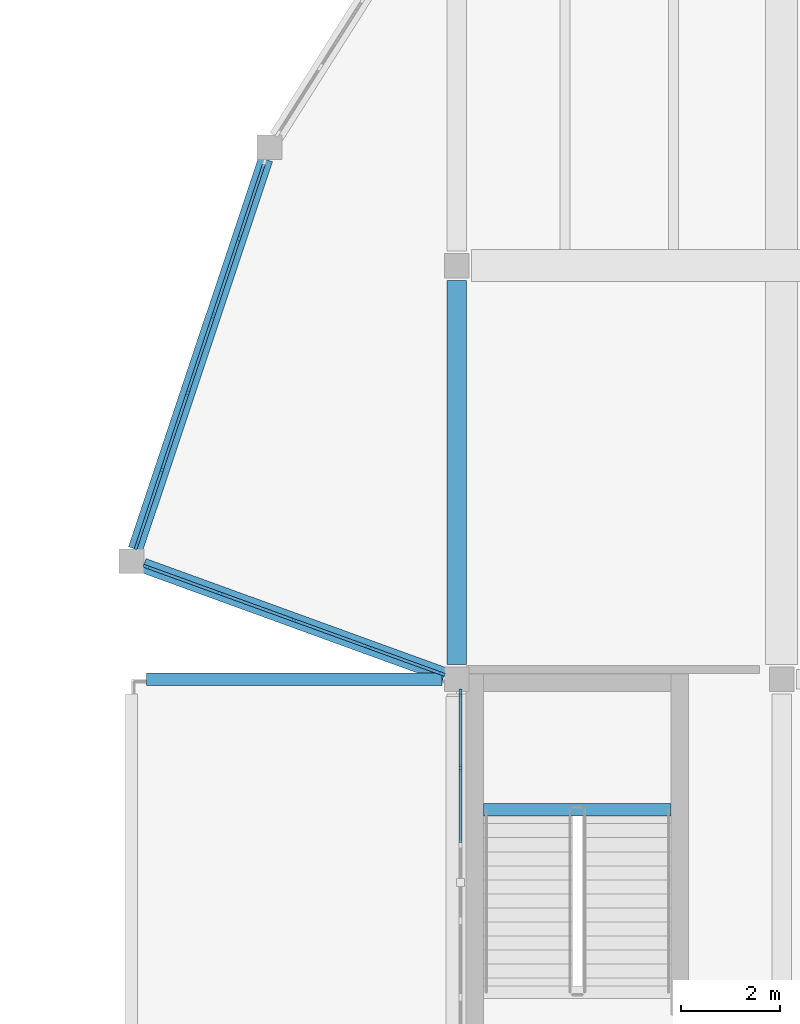
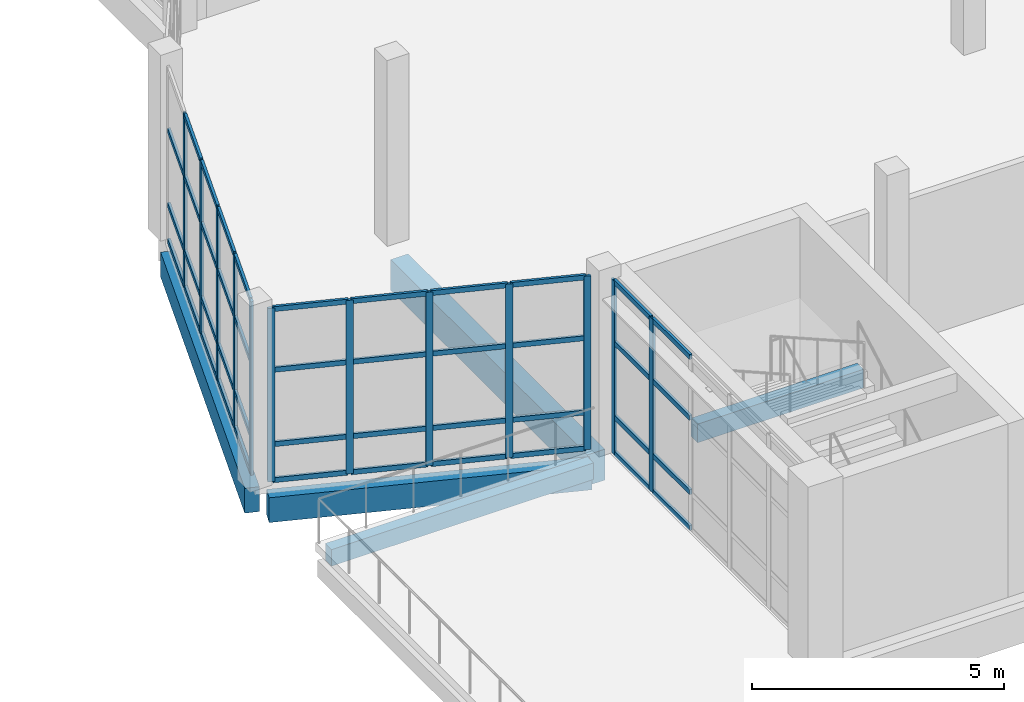
# One storey, part 25 of 83: 55 members, 5 beams, 3 elements without a shape of their own.
"""IFC4 building model written with IfcOpenShell, lengths in metres."""

from ifc_helpers import new_model, si_unit, direction, frame, origin, origin_2d, place, context, subcontext, project, spatial, rectangle, extrude, material, material_profile, profile_set, type_object, element, aggregate, save


model = new_model("IFC4")

# Units and contexts
model_context = context("Model", 3, precision=1e-05, world=origin(), true_north=direction((0.0, 1.0)))
body_context = subcontext(model_context, "Body", "Model", "MODEL_VIEW")
ifc_project = project(units=[si_unit("LENGTHUNIT", "METRE"), si_unit("AREAUNIT", "SQUARE_METRE"), si_unit("VOLUMEUNIT", "CUBIC_METRE"), si_unit("PLANEANGLEUNIT", "RADIAN"), si_unit("MASSUNIT", "GRAM", prefix="KILO")], contexts=[model_context])

# Site, building, storey
site_placement = place(None, origin())
site = spatial("IfcSite", under=ifc_project, at=site_placement, CompositionType="ELEMENT")
building_placement = place(site_placement, origin())
building = spatial("IfcBuilding", under=site, at=building_placement, Name="Qaldarim Faculty of Natural and Applied Sciences", CompositionType="ELEMENT")
storey_placement = place(building_placement, frame((0.0, 0.0, 5.39990234375)))
storey = spatial("IfcBuildingStorey", under=building, at=storey_placement, Name="L01", CompositionType="ELEMENT", Elevation=5.39990234375)

# Beams
ifc_material_1 = material(Name="Concrete C40/50", Category="concrete")
ifc_material_profile_1 = material_profile(ifc_material_1, rectangle(XDim=0.25, YDim=0.39990234375, at=origin_2d()), Name="RC-LN250x400")
ifc_profile_set_1 = profile_set([ifc_material_profile_1], Name="Concrete C40/50")
beam_type_1 = type_object("IfcBeamType", Name="ArcadeLintel-RC250x400", PredefinedType="LINTEL", material=ifc_profile_set_1)
beam_1_placement = place(storey_placement, frame((145.5, 67.199951171875, -0.39990234375), z_axis=(1.0, 0.0, 0.0), x_axis=(0.0, 1.0, 0.0)))
element("IfcBeam", 1, at=beam_1_placement, inside=storey, type_object=beam_type_1, Name="Beam RC-LN250x400 L00 X23-X24/Y09", PredefinedType="LINTEL", context=body_context, shape_type="SweptSolid", body=[
    extrude(rectangle(XDim=0.25, YDim=0.39990234375, at=origin_2d()), origin(), (0.0, 0.0, 1.0), 6.0),
])
ifc_material_2 = material(Name="Concrete C50/60", Category="concrete")
ifc_material_profile_2 = material_profile(ifc_material_2, rectangle(XDim=0.39990234375, YDim=0.75, at=origin_2d()), Name="RC-B400x750")
ifc_profile_set_2 = profile_set([ifc_material_profile_2], Name="Concrete C50/60")
beam_type_2 = type_object("IfcBeamType", Name="LabGirder-RC400x750", PredefinedType="BEAM", material=ifc_profile_set_2)
beam_2_placement = place(storey_placement, frame((151.800048828125, 67.5, -0.6748046875), z_axis=(0.0, 1.0, 0.0), x_axis=(-1.0, 0.0, 0.0)))
element("IfcBeam", 2, at=beam_2_placement, inside=storey, type_object=beam_type_2, Name="Beam RC-B400x750 L00 X24/Y09-Y10", PredefinedType="BEAM", context=body_context, shape_type="SweptSolid", body=[
    extrude(rectangle(XDim=0.39990234375, YDim=0.75, at=origin_2d()), origin(), (0.0, 0.0, 1.0), 7.800048828125),
])
ifc_material_profile_3 = material_profile(ifc_material_1, rectangle(XDim=0.25, YDim=0.449951171875, at=origin_2d()), Name="RC-LN250x450")
ifc_profile_set_3 = profile_set([ifc_material_profile_3], Name="Concrete C40/50")
beam_type_3 = type_object("IfcBeamType", Name="LandingSupportBeam-RC250x450", PredefinedType="BEAM", material=ifc_profile_set_3)
beam_3_placement = place(storey_placement, frame((152.35009765625, 64.554931640625, 1.815185546875), z_axis=(1.0, 0.0, 0.0), x_axis=(0.0, 1.0, 0.0)))
element("IfcBeam", 3, at=beam_3_placement, inside=storey, type_object=beam_type_3, Name="Stair landing support beam ST-C1 L01", PredefinedType="BEAM", context=body_context, shape_type="SweptSolid", body=[
    extrude(rectangle(XDim=0.25, YDim=0.449951171875, at=origin_2d()), origin(), (0.0, 0.0, 1.0), 3.7998046875),
])

# Curtain wall, members
ifc_material_3 = material(Name="Anodised aluminium AW-6063", Category="aluminium")
curtain_wall_type = type_object("IfcCurtainWallType", Name="CurtainWallSystem-M1600", PredefinedType="USERDEFINED", material=ifc_material_3)
curtain_wall_1_placement = place(storey_placement, origin())
curtain_wall_1 = element("IfcCurtainWall", 4, at=curtain_wall_1_placement, inside=storey, type_object=curtain_wall_type, Name="Curtain wall CW-L01-W-X24Y08", ObjectType="UNITISED FACADE", PredefinedType="USERDEFINED")
ifc_material_profile_4 = material_profile(ifc_material_3, rectangle(XDim=0.06005859375, YDim=0.14990234375, at=origin_2d()), Name="ALU-M60x150")
ifc_profile_set_4 = profile_set([ifc_material_profile_4], Name="Anodised aluminium AW-6063")
member_type_1 = type_object("IfcMemberType", Name="Mullion-ALU60x150", PredefinedType="MULLION", material=ifc_profile_set_4)
member_1_placement = place(storey_placement, frame((151.8798828125, 66.925048828125, 0.0), z_axis=(0.0, 0.0, 1.0), x_axis=(1.0, 0.0, 0.0)))
member_1 = element("IfcMember", 5, at=member_1_placement, type_object=member_type_1, Name="Mullion 1 of CW-L01-W-X24Y08", PredefinedType="MULLION", context=body_context, shape_type="SweptSolid", body=[
    extrude(rectangle(XDim=0.06005859375, YDim=0.14990234375, at=origin_2d()), origin(), (0.0, 0.0, 1.0), 4.2001953125),
])
member_2_placement = place(storey_placement, frame((151.8798828125, 65.403076171875, 0.0), z_axis=(0.0, 0.0, 1.0), x_axis=(1.0, 0.0, 0.0)))
member_2 = element("IfcMember", 6, at=member_2_placement, type_object=member_type_1, Name="Mullion 2 of CW-L01-W-X24Y08", PredefinedType="MULLION", context=body_context, shape_type="SweptSolid", body=[
    extrude(rectangle(XDim=0.06005859375, YDim=0.14990234375, at=origin_2d()), origin(), (0.0, 0.0, 1.0), 4.2001953125),
])

curtain_wall_2_placement = place(storey_placement, origin())
curtain_wall_2 = element("IfcCurtainWall", 7, at=curtain_wall_2_placement, inside=storey, type_object=curtain_wall_type, Name="Curtain wall CW-PROW-L01-2", ObjectType="UNITISED FACADE", PredefinedType="USERDEFINED")
member_3_placement = place(storey_placement, frame((147.383056640625, 76.14892578125, 0.0), z_axis=(0.0, 0.0, 1.0), x_axis=(0.948683015593, -0.316228613389, 0.0)))
member_3 = element("IfcMember", 8, at=member_3_placement, type_object=member_type_1, Name="Mullion 2 of CW-PROW-L01-2", PredefinedType="MULLION", context=body_context, shape_type="SweptSolid", body=[
    extrude(rectangle(XDim=0.06005859375, YDim=0.14990234375, at=origin_2d()), origin(), (0.0, 0.0, 1.0), 4.2001953125),
])
member_4_placement = place(storey_placement, frame((146.861083984375, 74.5830078125, 0.0), z_axis=(0.0, 0.0, 1.0), x_axis=(0.948683015593, -0.316228613389, 0.0)))
member_4 = element("IfcMember", 9, at=member_4_placement, type_object=member_type_1, Name="Mullion 3 of CW-PROW-L01-2", PredefinedType="MULLION", context=body_context, shape_type="SweptSolid", body=[
    extrude(rectangle(XDim=0.06005859375, YDim=0.14990234375, at=origin_2d()), origin(), (0.0, 0.0, 1.0), 4.2001953125),
])
member_5_placement = place(storey_placement, frame((146.339111328125, 73.01708984375, 0.0), z_axis=(0.0, 0.0, 1.0), x_axis=(0.948683015593, -0.316228613389, 0.0)))
member_5 = element("IfcMember", 10, at=member_5_placement, type_object=member_type_1, Name="Mullion 4 of CW-PROW-L01-2", PredefinedType="MULLION", context=body_context, shape_type="SweptSolid", body=[
    extrude(rectangle(XDim=0.06005859375, YDim=0.14990234375, at=origin_2d()), origin(), (0.0, 0.0, 1.0), 4.2001953125),
])
member_6_placement = place(storey_placement, frame((145.81689453125, 71.450927734375, 0.0), z_axis=(0.0, 0.0, 1.0), x_axis=(0.948683015593, -0.316228613389, 0.0)))
member_6 = element("IfcMember", 11, at=member_6_placement, type_object=member_type_1, Name="Mullion 5 of CW-PROW-L01-2", PredefinedType="MULLION", context=body_context, shape_type="SweptSolid", body=[
    extrude(rectangle(XDim=0.06005859375, YDim=0.14990234375, at=origin_2d()), origin(), (0.0, 0.0, 1.0), 4.2001953125),
])
member_7_placement = place(storey_placement, frame((145.304443359375, 69.91357421875, 0.0), z_axis=(0.0, 0.0, 1.0), x_axis=(0.948683015593, -0.316228613389, 0.0)))
member_7 = element("IfcMember", 12, at=member_7_placement, type_object=member_type_1, Name="Mullion 6 of CW-PROW-L01-2", PredefinedType="MULLION", context=body_context, shape_type="SweptSolid", body=[
    extrude(rectangle(XDim=0.06005859375, YDim=0.14990234375, at=origin_2d()), origin(), (0.0, 0.0, 1.0), 4.2001953125),
])

curtain_wall_3_placement = place(storey_placement, origin())
curtain_wall_3 = element("IfcCurtainWall", 13, at=curtain_wall_3_placement, inside=storey, type_object=curtain_wall_type, Name="Curtain wall CW-PROW-L01-3", ObjectType="UNITISED FACADE", PredefinedType="USERDEFINED")
member_8_placement = place(storey_placement, frame((145.50830078125, 69.48486328125, 0.0), z_axis=(0.0, 0.0, 1.0), x_axis=(0.340871837244, 0.94010977581, 0.0)))
member_8 = element("IfcMember", 14, at=member_8_placement, type_object=member_type_1, Name="Mullion 1 of CW-PROW-L01-3", PredefinedType="MULLION", context=body_context, shape_type="SweptSolid", body=[
    extrude(rectangle(XDim=0.06005859375, YDim=0.14990234375, at=origin_2d()), origin(), (0.0, 0.0, 1.0), 4.2001953125),
])
member_9_placement = place(storey_placement, frame((146.989990234375, 68.947509765625, 0.0), z_axis=(0.0, 0.0, 1.0), x_axis=(0.340871837244, 0.94010977581, 0.0)))
member_9 = element("IfcMember", 15, at=member_9_placement, type_object=member_type_1, Name="Mullion 2 of CW-PROW-L01-3", PredefinedType="MULLION", context=body_context, shape_type="SweptSolid", body=[
    extrude(rectangle(XDim=0.06005859375, YDim=0.14990234375, at=origin_2d()), origin(), (0.0, 0.0, 1.0), 4.2001953125),
])
member_10_placement = place(storey_placement, frame((148.5, 68.39990234375, 0.0), z_axis=(0.0, 0.0, 1.0), x_axis=(0.340871837244, 0.94010977581, 0.0)))
member_10 = element("IfcMember", 16, at=member_10_placement, type_object=member_type_1, Name="Mullion 3 of CW-PROW-L01-3", PredefinedType="MULLION", context=body_context, shape_type="SweptSolid", body=[
    extrude(rectangle(XDim=0.06005859375, YDim=0.14990234375, at=origin_2d()), origin(), (0.0, 0.0, 1.0), 4.2001953125),
])
member_11_placement = place(storey_placement, frame((150.010009765625, 67.8525390625, 0.0), z_axis=(0.0, 0.0, 1.0), x_axis=(0.340871837244, 0.94010977581, 0.0)))
member_11 = element("IfcMember", 17, at=member_11_placement, type_object=member_type_1, Name="Mullion 4 of CW-PROW-L01-3", PredefinedType="MULLION", context=body_context, shape_type="SweptSolid", body=[
    extrude(rectangle(XDim=0.06005859375, YDim=0.14990234375, at=origin_2d()), origin(), (0.0, 0.0, 1.0), 4.2001953125),
])
member_12_placement = place(storey_placement, frame((151.49169921875, 67.315185546875, 0.0), z_axis=(0.0, 0.0, 1.0), x_axis=(0.340871837244, 0.94010977581, 0.0)))
member_12 = element("IfcMember", 18, at=member_12_placement, type_object=member_type_1, Name="Mullion 5 of CW-PROW-L01-3", PredefinedType="MULLION", context=body_context, shape_type="SweptSolid", body=[
    extrude(rectangle(XDim=0.06005859375, YDim=0.14990234375, at=origin_2d()), origin(), (0.0, 0.0, 1.0), 4.2001953125),
])

# Beams
ifc_material_4 = material(Name="Precast concrete C40/50", Category="concrete")
ifc_material_profile_5 = material_profile(ifc_material_4, rectangle(XDim=0.300048828125, YDim=0.60009765625, at=origin_2d()), Name="RC-SP300x600")
ifc_profile_set_5 = profile_set([ifc_material_profile_5], Name="Precast concrete C40/50")
beam_type_4 = type_object("IfcBeamType", Name="SpandrelBeam-RC300x600", PredefinedType="SPANDREL", material=ifc_profile_set_5)
beam_4_placement = place(storey_placement, frame((151.554931640625, 67.2900390625, -0.599853515625), z_axis=(-0.939882210861, 0.341498798983, 0.0), x_axis=(-0.341498798983, -0.939882210861, 0.0)))
element("IfcBeam", 19, at=beam_4_placement, inside=storey, type_object=beam_type_4, Name="Learning Commons angled prow spandrel L00 1", PredefinedType="SPANDREL", context=body_context, shape_type="SweptSolid", body=[
    extrude(rectangle(XDim=0.300048828125, YDim=0.60009765625, at=origin_2d()), origin(), (0.0, 0.0, 1.0), 6.500732421875),
])
beam_5_placement = place(storey_placement, frame((145.280029296875, 69.844970703125, -0.599853515625), z_axis=(0.316579075961, 0.948566122452, 0.0), x_axis=(-0.948566122452, 0.316579075961, 0.0)))
element("IfcBeam", 20, at=beam_5_placement, inside=storey, type_object=beam_type_4, Name="Learning Commons angled prow spandrel L00 2", PredefinedType="SPANDREL", context=body_context, shape_type="SweptSolid", body=[
    extrude(rectangle(XDim=0.300048828125, YDim=0.60009765625, at=origin_2d()), origin(), (0.0, 0.0, 1.0), 8.3388671875),
])

# Member
ifc_material_profile_6 = material_profile(ifc_material_3, rectangle(XDim=0.06005859375, YDim=0.1201171875, at=origin_2d()), Name="ALU-T60x120")
ifc_profile_set_6 = profile_set([ifc_material_profile_6], Name="Anodised aluminium AW-6063")
member_type_2 = type_object("IfcMemberType", Name="Transom-ALU60x120", PredefinedType="USERDEFINED", material=ifc_profile_set_6)
member_13_placement = place(storey_placement, frame((151.8798828125, 66.89501953125, 0.030029296875), z_axis=(0.0, -1.0, 0.0), x_axis=(1.0, 0.0, 0.0)))
member_13 = element("IfcMember", 21, at=member_13_placement, type_object=member_type_2, Name="Transom 1-1 of CW-L01-W-X24Y08", ObjectType="TRANSOM", PredefinedType="USERDEFINED", context=body_context, shape_type="SweptSolid", body=[
    extrude(rectangle(XDim=0.06005859375, YDim=0.1201171875, at=origin_2d()), origin(), (0.0, 0.0, 1.0), 1.4619140625),
])

member_14_placement = place(storey_placement, frame((151.8798828125, 66.89501953125, 0.900146484375), z_axis=(0.0, -1.0, 0.0), x_axis=(1.0, 0.0, 0.0)))
member_14 = element("IfcMember", 22, at=member_14_placement, type_object=member_type_2, Name="Transom 1-2 of CW-L01-W-X24Y08", ObjectType="TRANSOM", PredefinedType="USERDEFINED", context=body_context, shape_type="SweptSolid", body=[
    extrude(rectangle(XDim=0.06005859375, YDim=0.1201171875, at=origin_2d()), origin(), (0.0, 0.0, 1.0), 1.4619140625),
])

member_15_placement = place(storey_placement, frame((151.8798828125, 66.89501953125, 2.7001953125), z_axis=(0.0, -1.0, 0.0), x_axis=(1.0, 0.0, 0.0)))
member_15 = element("IfcMember", 23, at=member_15_placement, type_object=member_type_2, Name="Transom 1-3 of CW-L01-W-X24Y08", ObjectType="TRANSOM", PredefinedType="USERDEFINED", context=body_context, shape_type="SweptSolid", body=[
    extrude(rectangle(XDim=0.06005859375, YDim=0.1201171875, at=origin_2d()), origin(), (0.0, 0.0, 1.0), 1.4619140625),
])

member_16_placement = place(storey_placement, frame((151.8798828125, 66.89501953125, 4.170166015625), z_axis=(0.0, -1.0, 0.0), x_axis=(1.0, 0.0, 0.0)))
member_16 = element("IfcMember", 24, at=member_16_placement, type_object=member_type_2, Name="Transom 1-4 of CW-L01-W-X24Y08", ObjectType="TRANSOM", PredefinedType="USERDEFINED", context=body_context, shape_type="SweptSolid", body=[
    extrude(rectangle(XDim=0.06005859375, YDim=0.1201171875, at=origin_2d()), origin(), (0.0, 0.0, 1.0), 1.4619140625),
])

member_17_placement = place(storey_placement, frame((151.8798828125, 65.373046875, 0.030029296875), z_axis=(0.0, -1.0, 0.0), x_axis=(1.0, 0.0, 0.0)))
member_17 = element("IfcMember", 25, at=member_17_placement, type_object=member_type_2, Name="Transom 2-1 of CW-L01-W-X24Y08", ObjectType="TRANSOM", PredefinedType="USERDEFINED", context=body_context, shape_type="SweptSolid", body=[
    extrude(rectangle(XDim=0.06005859375, YDim=0.1201171875, at=origin_2d()), origin(), (0.0, 0.0, 1.0), 1.491943359375),
])

member_18_placement = place(storey_placement, frame((151.8798828125, 65.373046875, 0.900146484375), z_axis=(0.0, -1.0, 0.0), x_axis=(1.0, 0.0, 0.0)))
member_18 = element("IfcMember", 26, at=member_18_placement, type_object=member_type_2, Name="Transom 2-2 of CW-L01-W-X24Y08", ObjectType="TRANSOM", PredefinedType="USERDEFINED", context=body_context, shape_type="SweptSolid", body=[
    extrude(rectangle(XDim=0.06005859375, YDim=0.1201171875, at=origin_2d()), origin(), (0.0, 0.0, 1.0), 1.491943359375),
])

member_19_placement = place(storey_placement, frame((151.8798828125, 65.373046875, 2.7001953125), z_axis=(0.0, -1.0, 0.0), x_axis=(1.0, 0.0, 0.0)))
member_19 = element("IfcMember", 27, at=member_19_placement, type_object=member_type_2, Name="Transom 2-3 of CW-L01-W-X24Y08", ObjectType="TRANSOM", PredefinedType="USERDEFINED", context=body_context, shape_type="SweptSolid", body=[
    extrude(rectangle(XDim=0.06005859375, YDim=0.1201171875, at=origin_2d()), origin(), (0.0, 0.0, 1.0), 1.491943359375),
])

member_20_placement = place(storey_placement, frame((151.8798828125, 65.373046875, 4.170166015625), z_axis=(0.0, -1.0, 0.0), x_axis=(1.0, 0.0, 0.0)))
member_20 = element("IfcMember", 28, at=member_20_placement, type_object=member_type_2, Name="Transom 2-4 of CW-L01-W-X24Y08", ObjectType="TRANSOM", PredefinedType="USERDEFINED", context=body_context, shape_type="SweptSolid", body=[
    extrude(rectangle(XDim=0.06005859375, YDim=0.1201171875, at=origin_2d()), origin(), (0.0, 0.0, 1.0), 1.491943359375),
])

aggregate(curtain_wall_1, [member_1, member_2, member_13, member_14, member_15, member_16, member_17, member_18, member_19, member_20])

member_21_placement = place(storey_placement, frame((147.885986328125, 77.658203125, 0.030029296875), z_axis=(-0.316133909771, -0.948714578307, 0.0), x_axis=(0.948714578307, -0.316133909771, 0.0)))
member_21 = element("IfcMember", 29, at=member_21_placement, type_object=member_type_2, Name="Transom 1-1 of CW-PROW-L01-2", ObjectType="TRANSOM", PredefinedType="USERDEFINED", context=body_context, shape_type="SweptSolid", body=[
    extrude(rectangle(XDim=0.06005859375, YDim=0.1201171875, at=origin_2d()), origin(), (0.0, 0.0, 1.0), 1.560791015625),
])

member_22_placement = place(storey_placement, frame((147.885986328125, 77.658203125, 0.900146484375), z_axis=(-0.316133909771, -0.948714578307, 0.0), x_axis=(0.948714578307, -0.316133909771, 0.0)))
member_22 = element("IfcMember", 30, at=member_22_placement, type_object=member_type_2, Name="Transom 1-2 of CW-PROW-L01-2", ObjectType="TRANSOM", PredefinedType="USERDEFINED", context=body_context, shape_type="SweptSolid", body=[
    extrude(rectangle(XDim=0.06005859375, YDim=0.1201171875, at=origin_2d()), origin(), (0.0, 0.0, 1.0), 1.560791015625),
])

member_23_placement = place(storey_placement, frame((147.885986328125, 77.658203125, 2.7001953125), z_axis=(-0.316133909771, -0.948714578307, 0.0), x_axis=(0.948714578307, -0.316133909771, 0.0)))
member_23 = element("IfcMember", 31, at=member_23_placement, type_object=member_type_2, Name="Transom 1-3 of CW-PROW-L01-2", ObjectType="TRANSOM", PredefinedType="USERDEFINED", context=body_context, shape_type="SweptSolid", body=[
    extrude(rectangle(XDim=0.06005859375, YDim=0.1201171875, at=origin_2d()), origin(), (0.0, 0.0, 1.0), 1.560791015625),
])

member_24_placement = place(storey_placement, frame((147.37353515625, 76.12060546875, 0.030029296875), z_axis=(-0.316181719763, -0.94869864556, 0.0), x_axis=(0.94869864556, -0.316181719763, 0.0)))
member_24 = element("IfcMember", 32, at=member_24_placement, type_object=member_type_2, Name="Transom 2-1 of CW-PROW-L01-2", ObjectType="TRANSOM", PredefinedType="USERDEFINED", context=body_context, shape_type="SweptSolid", body=[
    extrude(rectangle(XDim=0.06005859375, YDim=0.1201171875, at=origin_2d()), origin(), (0.0, 0.0, 1.0), 1.590576171875),
])

member_25_placement = place(storey_placement, frame((147.37353515625, 76.12060546875, 0.900146484375), z_axis=(-0.316181719763, -0.94869864556, 0.0), x_axis=(0.94869864556, -0.316181719763, 0.0)))
member_25 = element("IfcMember", 33, at=member_25_placement, type_object=member_type_2, Name="Transom 2-2 of CW-PROW-L01-2", ObjectType="TRANSOM", PredefinedType="USERDEFINED", context=body_context, shape_type="SweptSolid", body=[
    extrude(rectangle(XDim=0.06005859375, YDim=0.1201171875, at=origin_2d()), origin(), (0.0, 0.0, 1.0), 1.590576171875),
])

member_26_placement = place(storey_placement, frame((147.37353515625, 76.12060546875, 2.7001953125), z_axis=(-0.316181719763, -0.94869864556, 0.0), x_axis=(0.94869864556, -0.316181719763, 0.0)))
member_26 = element("IfcMember", 34, at=member_26_placement, type_object=member_type_2, Name="Transom 2-3 of CW-PROW-L01-2", ObjectType="TRANSOM", PredefinedType="USERDEFINED", context=body_context, shape_type="SweptSolid", body=[
    extrude(rectangle(XDim=0.06005859375, YDim=0.1201171875, at=origin_2d()), origin(), (0.0, 0.0, 1.0), 1.590576171875),
])

member_27_placement = place(storey_placement, frame((147.37353515625, 76.12060546875, 4.170166015625), z_axis=(-0.316181719763, -0.94869864556, 0.0), x_axis=(0.94869864556, -0.316181719763, 0.0)))
member_27 = element("IfcMember", 35, at=member_27_placement, type_object=member_type_2, Name="Transom 2-4 of CW-PROW-L01-2", ObjectType="TRANSOM", PredefinedType="USERDEFINED", context=body_context, shape_type="SweptSolid", body=[
    extrude(rectangle(XDim=0.06005859375, YDim=0.1201171875, at=origin_2d()), origin(), (0.0, 0.0, 1.0), 1.590576171875),
])

member_28_placement = place(storey_placement, frame((146.8515625, 74.554443359375, 0.030029296875), z_axis=(-0.31631985182, -0.948652597817, 0.0), x_axis=(0.948652597817, -0.31631985182, 0.0)))
member_28 = element("IfcMember", 36, at=member_28_placement, type_object=member_type_2, Name="Transom 3-1 of CW-PROW-L01-2", ObjectType="TRANSOM", PredefinedType="USERDEFINED", context=body_context, shape_type="SweptSolid", body=[
    extrude(rectangle(XDim=0.06005859375, YDim=0.1201171875, at=origin_2d()), origin(), (0.0, 0.0, 1.0), 1.5908203125),
])

member_29_placement = place(storey_placement, frame((146.8515625, 74.554443359375, 0.900146484375), z_axis=(-0.31631985182, -0.948652597817, 0.0), x_axis=(0.948652597817, -0.31631985182, 0.0)))
member_29 = element("IfcMember", 37, at=member_29_placement, type_object=member_type_2, Name="Transom 3-2 of CW-PROW-L01-2", ObjectType="TRANSOM", PredefinedType="USERDEFINED", context=body_context, shape_type="SweptSolid", body=[
    extrude(rectangle(XDim=0.06005859375, YDim=0.1201171875, at=origin_2d()), origin(), (0.0, 0.0, 1.0), 1.5908203125),
])

member_30_placement = place(storey_placement, frame((146.8515625, 74.554443359375, 2.7001953125), z_axis=(-0.31631985182, -0.948652597817, 0.0), x_axis=(0.948652597817, -0.31631985182, 0.0)))
member_30 = element("IfcMember", 38, at=member_30_placement, type_object=member_type_2, Name="Transom 3-3 of CW-PROW-L01-2", ObjectType="TRANSOM", PredefinedType="USERDEFINED", context=body_context, shape_type="SweptSolid", body=[
    extrude(rectangle(XDim=0.06005859375, YDim=0.1201171875, at=origin_2d()), origin(), (0.0, 0.0, 1.0), 1.5908203125),
])

member_31_placement = place(storey_placement, frame((146.8515625, 74.554443359375, 4.170166015625), z_axis=(-0.31631985182, -0.948652597817, 0.0), x_axis=(0.948652597817, -0.31631985182, 0.0)))
member_31 = element("IfcMember", 39, at=member_31_placement, type_object=member_type_2, Name="Transom 3-4 of CW-PROW-L01-2", ObjectType="TRANSOM", PredefinedType="USERDEFINED", context=body_context, shape_type="SweptSolid", body=[
    extrude(rectangle(XDim=0.06005859375, YDim=0.1201171875, at=origin_2d()), origin(), (0.0, 0.0, 1.0), 1.5908203125),
])

member_32_placement = place(storey_placement, frame((146.32958984375, 72.988525390625, 0.030029296875), z_axis=(-0.31631985182, -0.948652597817, 0.0), x_axis=(0.948652597817, -0.31631985182, 0.0)))
member_32 = element("IfcMember", 40, at=member_32_placement, type_object=member_type_2, Name="Transom 4-1 of CW-PROW-L01-2", ObjectType="TRANSOM", PredefinedType="USERDEFINED", context=body_context, shape_type="SweptSolid", body=[
    extrude(rectangle(XDim=0.06005859375, YDim=0.1201171875, at=origin_2d()), origin(), (0.0, 0.0, 1.0), 1.5908203125),
])

member_33_placement = place(storey_placement, frame((146.32958984375, 72.988525390625, 0.900146484375), z_axis=(-0.31631985182, -0.948652597817, 0.0), x_axis=(0.948652597817, -0.31631985182, 0.0)))
member_33 = element("IfcMember", 41, at=member_33_placement, type_object=member_type_2, Name="Transom 4-2 of CW-PROW-L01-2", ObjectType="TRANSOM", PredefinedType="USERDEFINED", context=body_context, shape_type="SweptSolid", body=[
    extrude(rectangle(XDim=0.06005859375, YDim=0.1201171875, at=origin_2d()), origin(), (0.0, 0.0, 1.0), 1.5908203125),
])

member_34_placement = place(storey_placement, frame((146.32958984375, 72.988525390625, 2.7001953125), z_axis=(-0.31631985182, -0.948652597817, 0.0), x_axis=(0.948652597817, -0.31631985182, 0.0)))
member_34 = element("IfcMember", 42, at=member_34_placement, type_object=member_type_2, Name="Transom 4-3 of CW-PROW-L01-2", ObjectType="TRANSOM", PredefinedType="USERDEFINED", context=body_context, shape_type="SweptSolid", body=[
    extrude(rectangle(XDim=0.06005859375, YDim=0.1201171875, at=origin_2d()), origin(), (0.0, 0.0, 1.0), 1.5908203125),
])

member_35_placement = place(storey_placement, frame((146.32958984375, 72.988525390625, 4.170166015625), z_axis=(-0.31631985182, -0.948652597817, 0.0), x_axis=(0.948652597817, -0.31631985182, 0.0)))
member_35 = element("IfcMember", 43, at=member_35_placement, type_object=member_type_2, Name="Transom 4-4 of CW-PROW-L01-2", ObjectType="TRANSOM", PredefinedType="USERDEFINED", context=body_context, shape_type="SweptSolid", body=[
    extrude(rectangle(XDim=0.06005859375, YDim=0.1201171875, at=origin_2d()), origin(), (0.0, 0.0, 1.0), 1.5908203125),
])

member_36_placement = place(storey_placement, frame((145.8076171875, 71.422607421875, 0.030029296875), z_axis=(-0.316274690658, -0.948667655214, 0.0), x_axis=(0.948667655214, -0.316274690658, 0.0)))
member_36 = element("IfcMember", 44, at=member_36_placement, type_object=member_type_2, Name="Transom 5-1 of CW-PROW-L01-2", ObjectType="TRANSOM", PredefinedType="USERDEFINED", context=body_context, shape_type="SweptSolid", body=[
    extrude(rectangle(XDim=0.06005859375, YDim=0.1201171875, at=origin_2d()), origin(), (0.0, 0.0, 1.0), 1.560791015625),
])

member_37_placement = place(storey_placement, frame((145.8076171875, 71.422607421875, 0.900146484375), z_axis=(-0.316274690658, -0.948667655214, 0.0), x_axis=(0.948667655214, -0.316274690658, 0.0)))
member_37 = element("IfcMember", 45, at=member_37_placement, type_object=member_type_2, Name="Transom 5-2 of CW-PROW-L01-2", ObjectType="TRANSOM", PredefinedType="USERDEFINED", context=body_context, shape_type="SweptSolid", body=[
    extrude(rectangle(XDim=0.06005859375, YDim=0.1201171875, at=origin_2d()), origin(), (0.0, 0.0, 1.0), 1.560791015625),
])

member_38_placement = place(storey_placement, frame((145.8076171875, 71.422607421875, 2.7001953125), z_axis=(-0.316274690658, -0.948667655214, 0.0), x_axis=(0.948667655214, -0.316274690658, 0.0)))
member_38 = element("IfcMember", 46, at=member_38_placement, type_object=member_type_2, Name="Transom 5-3 of CW-PROW-L01-2", ObjectType="TRANSOM", PredefinedType="USERDEFINED", context=body_context, shape_type="SweptSolid", body=[
    extrude(rectangle(XDim=0.06005859375, YDim=0.1201171875, at=origin_2d()), origin(), (0.0, 0.0, 1.0), 1.560791015625),
])

member_39_placement = place(storey_placement, frame((145.8076171875, 71.422607421875, 4.170166015625), z_axis=(-0.316274690658, -0.948667655214, 0.0), x_axis=(0.948667655214, -0.316274690658, 0.0)))
member_39 = element("IfcMember", 47, at=member_39_placement, type_object=member_type_2, Name="Transom 5-4 of CW-PROW-L01-2", ObjectType="TRANSOM", PredefinedType="USERDEFINED", context=body_context, shape_type="SweptSolid", body=[
    extrude(rectangle(XDim=0.06005859375, YDim=0.1201171875, at=origin_2d()), origin(), (0.0, 0.0, 1.0), 1.560791015625),
])

aggregate(curtain_wall_2, [member_3, member_4, member_5, member_6, member_7, member_21, member_22, member_23, member_24, member_25, member_26, member_27, member_28, member_29, member_30, member_31, member_32, member_33, member_34, member_35, member_36, member_37, member_38, member_39])

member_40_placement = place(storey_placement, frame((145.536376953125, 69.474609375, 0.030029296875), z_axis=(0.940117363771, -0.340850909249, 0.0), x_axis=(0.340850909249, 0.940117363771, 0.0)))
member_40 = element("IfcMember", 48, at=member_40_placement, type_object=member_type_2, Name="Transom 1-1 of CW-PROW-L01-3", ObjectType="TRANSOM", PredefinedType="USERDEFINED", context=body_context, shape_type="SweptSolid", body=[
    extrude(rectangle(XDim=0.06005859375, YDim=0.1201171875, at=origin_2d()), origin(), (0.0, 0.0, 1.0), 1.516357421875),
])

member_41_placement = place(storey_placement, frame((145.536376953125, 69.474609375, 0.900146484375), z_axis=(0.940117363771, -0.340850909249, 0.0), x_axis=(0.340850909249, 0.940117363771, 0.0)))
member_41 = element("IfcMember", 49, at=member_41_placement, type_object=member_type_2, Name="Transom 1-2 of CW-PROW-L01-3", ObjectType="TRANSOM", PredefinedType="USERDEFINED", context=body_context, shape_type="SweptSolid", body=[
    extrude(rectangle(XDim=0.06005859375, YDim=0.1201171875, at=origin_2d()), origin(), (0.0, 0.0, 1.0), 1.516357421875),
])

member_42_placement = place(storey_placement, frame((145.536376953125, 69.474609375, 2.7001953125), z_axis=(0.940117363771, -0.340850909249, 0.0), x_axis=(0.340850909249, 0.940117363771, 0.0)))
member_42 = element("IfcMember", 50, at=member_42_placement, type_object=member_type_2, Name="Transom 1-3 of CW-PROW-L01-3", ObjectType="TRANSOM", PredefinedType="USERDEFINED", context=body_context, shape_type="SweptSolid", body=[
    extrude(rectangle(XDim=0.06005859375, YDim=0.1201171875, at=origin_2d()), origin(), (0.0, 0.0, 1.0), 1.516357421875),
])

member_43_placement = place(storey_placement, frame((145.536376953125, 69.474609375, 4.170166015625), z_axis=(0.940117363771, -0.340850909249, 0.0), x_axis=(0.340850909249, 0.940117363771, 0.0)))
member_43 = element("IfcMember", 51, at=member_43_placement, type_object=member_type_2, Name="Transom 1-4 of CW-PROW-L01-3", ObjectType="TRANSOM", PredefinedType="USERDEFINED", context=body_context, shape_type="SweptSolid", body=[
    extrude(rectangle(XDim=0.06005859375, YDim=0.1201171875, at=origin_2d()), origin(), (0.0, 0.0, 1.0), 1.516357421875),
])

member_44_placement = place(storey_placement, frame((147.018310546875, 68.937255859375, 0.030029296875), z_axis=(0.940083560197, -0.340944130097, 0.0), x_axis=(0.340944130097, 0.940083560197, 0.0)))
member_44 = element("IfcMember", 52, at=member_44_placement, type_object=member_type_2, Name="Transom 2-1 of CW-PROW-L01-3", ObjectType="TRANSOM", PredefinedType="USERDEFINED", context=body_context, shape_type="SweptSolid", body=[
    extrude(rectangle(XDim=0.06005859375, YDim=0.1201171875, at=origin_2d()), origin(), (0.0, 0.0, 1.0), 1.5458984375),
])

member_45_placement = place(storey_placement, frame((147.018310546875, 68.937255859375, 0.900146484375), z_axis=(0.940083560197, -0.340944130097, 0.0), x_axis=(0.340944130097, 0.940083560197, 0.0)))
member_45 = element("IfcMember", 53, at=member_45_placement, type_object=member_type_2, Name="Transom 2-2 of CW-PROW-L01-3", ObjectType="TRANSOM", PredefinedType="USERDEFINED", context=body_context, shape_type="SweptSolid", body=[
    extrude(rectangle(XDim=0.06005859375, YDim=0.1201171875, at=origin_2d()), origin(), (0.0, 0.0, 1.0), 1.5458984375),
])

member_46_placement = place(storey_placement, frame((147.018310546875, 68.937255859375, 2.7001953125), z_axis=(0.940083560197, -0.340944130097, 0.0), x_axis=(0.340944130097, 0.940083560197, 0.0)))
member_46 = element("IfcMember", 54, at=member_46_placement, type_object=member_type_2, Name="Transom 2-3 of CW-PROW-L01-3", ObjectType="TRANSOM", PredefinedType="USERDEFINED", context=body_context, shape_type="SweptSolid", body=[
    extrude(rectangle(XDim=0.06005859375, YDim=0.1201171875, at=origin_2d()), origin(), (0.0, 0.0, 1.0), 1.5458984375),
])

member_47_placement = place(storey_placement, frame((147.018310546875, 68.937255859375, 4.170166015625), z_axis=(0.940083560197, -0.340944130097, 0.0), x_axis=(0.340944130097, 0.940083560197, 0.0)))
member_47 = element("IfcMember", 55, at=member_47_placement, type_object=member_type_2, Name="Transom 2-4 of CW-PROW-L01-3", ObjectType="TRANSOM", PredefinedType="USERDEFINED", context=body_context, shape_type="SweptSolid", body=[
    extrude(rectangle(XDim=0.06005859375, YDim=0.1201171875, at=origin_2d()), origin(), (0.0, 0.0, 1.0), 1.5458984375),
])

member_48_placement = place(storey_placement, frame((148.5283203125, 68.389892578125, 0.030029296875), z_axis=(0.940083560197, -0.340944130097, 0.0), x_axis=(0.340944130097, 0.940083560197, 0.0)))
member_48 = element("IfcMember", 56, at=member_48_placement, type_object=member_type_2, Name="Transom 3-1 of CW-PROW-L01-3", ObjectType="TRANSOM", PredefinedType="USERDEFINED", context=body_context, shape_type="SweptSolid", body=[
    extrude(rectangle(XDim=0.06005859375, YDim=0.1201171875, at=origin_2d()), origin(), (0.0, 0.0, 1.0), 1.5458984375),
])

member_49_placement = place(storey_placement, frame((148.5283203125, 68.389892578125, 0.900146484375), z_axis=(0.940083560197, -0.340944130097, 0.0), x_axis=(0.340944130097, 0.940083560197, 0.0)))
member_49 = element("IfcMember", 57, at=member_49_placement, type_object=member_type_2, Name="Transom 3-2 of CW-PROW-L01-3", ObjectType="TRANSOM", PredefinedType="USERDEFINED", context=body_context, shape_type="SweptSolid", body=[
    extrude(rectangle(XDim=0.06005859375, YDim=0.1201171875, at=origin_2d()), origin(), (0.0, 0.0, 1.0), 1.5458984375),
])

member_50_placement = place(storey_placement, frame((148.5283203125, 68.389892578125, 2.7001953125), z_axis=(0.940083560197, -0.340944130097, 0.0), x_axis=(0.340944130097, 0.940083560197, 0.0)))
member_50 = element("IfcMember", 58, at=member_50_placement, type_object=member_type_2, Name="Transom 3-3 of CW-PROW-L01-3", ObjectType="TRANSOM", PredefinedType="USERDEFINED", context=body_context, shape_type="SweptSolid", body=[
    extrude(rectangle(XDim=0.06005859375, YDim=0.1201171875, at=origin_2d()), origin(), (0.0, 0.0, 1.0), 1.5458984375),
])

member_51_placement = place(storey_placement, frame((148.5283203125, 68.389892578125, 4.170166015625), z_axis=(0.940083560197, -0.340944130097, 0.0), x_axis=(0.340944130097, 0.940083560197, 0.0)))
member_51 = element("IfcMember", 59, at=member_51_placement, type_object=member_type_2, Name="Transom 3-4 of CW-PROW-L01-3", ObjectType="TRANSOM", PredefinedType="USERDEFINED", context=body_context, shape_type="SweptSolid", body=[
    extrude(rectangle(XDim=0.06005859375, YDim=0.1201171875, at=origin_2d()), origin(), (0.0, 0.0, 1.0), 1.5458984375),
])

member_52_placement = place(storey_placement, frame((150.0380859375, 67.84228515625, 0.030029296875), z_axis=(0.940117363771, -0.340850909249, 0.0), x_axis=(0.340850909249, 0.940117363771, 0.0)))
member_52 = element("IfcMember", 60, at=member_52_placement, type_object=member_type_2, Name="Transom 4-1 of CW-PROW-L01-3", ObjectType="TRANSOM", PredefinedType="USERDEFINED", context=body_context, shape_type="SweptSolid", body=[
    extrude(rectangle(XDim=0.06005859375, YDim=0.1201171875, at=origin_2d()), origin(), (0.0, 0.0, 1.0), 1.516357421875),
])

member_53_placement = place(storey_placement, frame((150.0380859375, 67.84228515625, 0.900146484375), z_axis=(0.940117363771, -0.340850909249, 0.0), x_axis=(0.340850909249, 0.940117363771, 0.0)))
member_53 = element("IfcMember", 61, at=member_53_placement, type_object=member_type_2, Name="Transom 4-2 of CW-PROW-L01-3", ObjectType="TRANSOM", PredefinedType="USERDEFINED", context=body_context, shape_type="SweptSolid", body=[
    extrude(rectangle(XDim=0.06005859375, YDim=0.1201171875, at=origin_2d()), origin(), (0.0, 0.0, 1.0), 1.516357421875),
])

member_54_placement = place(storey_placement, frame((150.0380859375, 67.84228515625, 2.7001953125), z_axis=(0.940117363771, -0.340850909249, 0.0), x_axis=(0.340850909249, 0.940117363771, 0.0)))
member_54 = element("IfcMember", 62, at=member_54_placement, type_object=member_type_2, Name="Transom 4-3 of CW-PROW-L01-3", ObjectType="TRANSOM", PredefinedType="USERDEFINED", context=body_context, shape_type="SweptSolid", body=[
    extrude(rectangle(XDim=0.06005859375, YDim=0.1201171875, at=origin_2d()), origin(), (0.0, 0.0, 1.0), 1.516357421875),
])

member_55_placement = place(storey_placement, frame((150.0380859375, 67.84228515625, 4.170166015625), z_axis=(0.940117363771, -0.340850909249, 0.0), x_axis=(0.340850909249, 0.940117363771, 0.0)))
member_55 = element("IfcMember", 63, at=member_55_placement, type_object=member_type_2, Name="Transom 4-4 of CW-PROW-L01-3", ObjectType="TRANSOM", PredefinedType="USERDEFINED", context=body_context, shape_type="SweptSolid", body=[
    extrude(rectangle(XDim=0.06005859375, YDim=0.1201171875, at=origin_2d()), origin(), (0.0, 0.0, 1.0), 1.516357421875),
])

aggregate(curtain_wall_3, [member_8, member_9, member_10, member_11, member_12, member_40, member_41, member_42, member_43, member_44, member_45, member_46, member_47, member_48, member_49, member_50, member_51, member_52, member_53, member_54, member_55])

save(model, "model.ifc")
